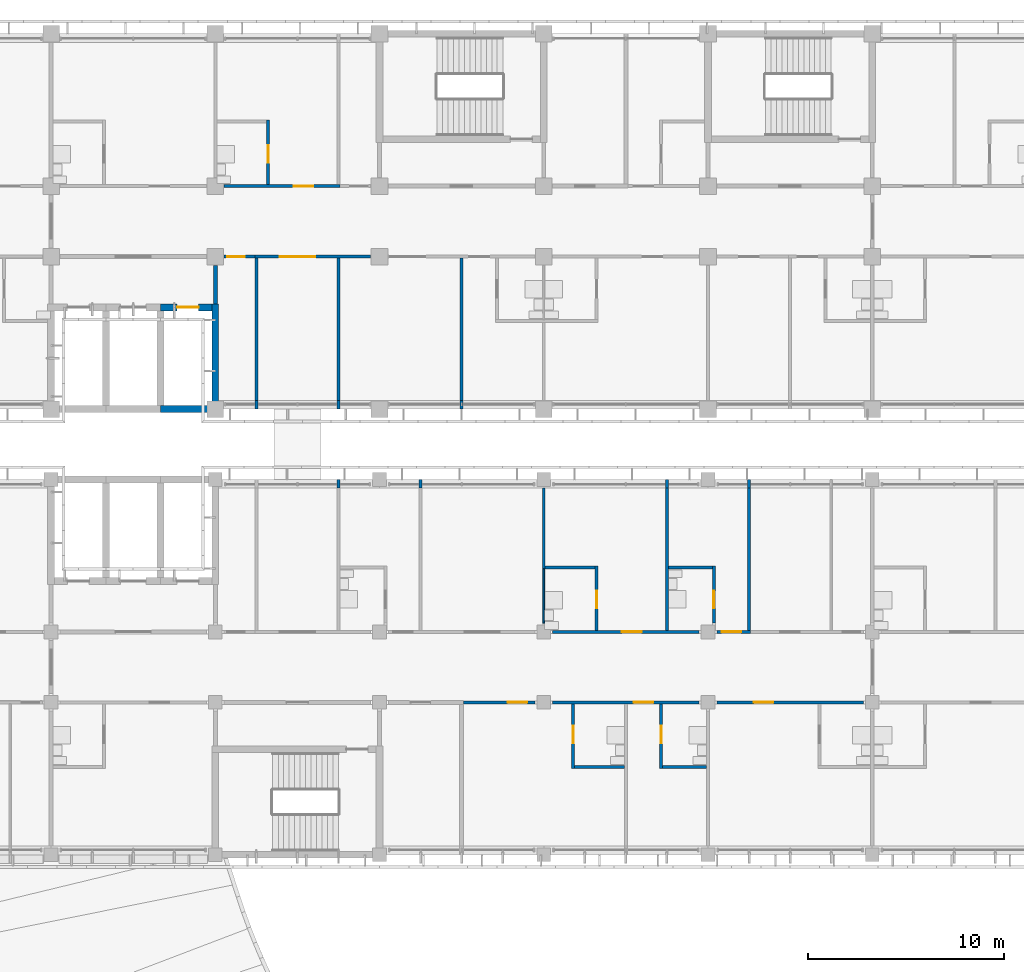
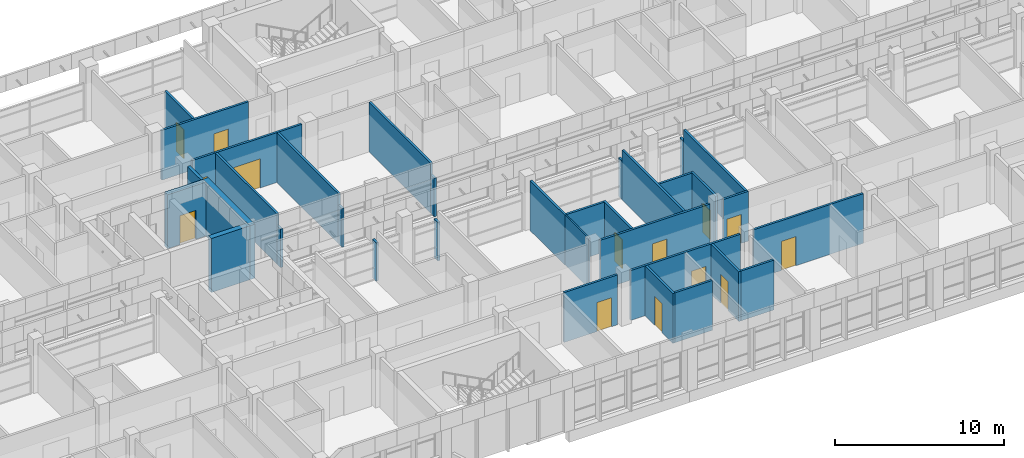
# One storey, part 33 of 74: 35 walls, 14 doors, 14 openings.
"""IFC4 building model written with IfcOpenShell, lengths in metres."""

from ifc_helpers import new_model, si_unit, direction, frame, frame_2d, origin, place, context, subcontext, project, spatial, rectangle, extrude, material, layer, layer_set, type_object, element, fill, save


model = new_model("IFC4")

# Units and contexts
model_context = context("Model", 3, precision=1e-05, world=origin(), true_north=direction((0.0, 1.0)))
body_context = subcontext(model_context, "Body", "Model", "MODEL_VIEW")
ifc_project = project(units=[si_unit("LENGTHUNIT", "METRE"), si_unit("AREAUNIT", "SQUARE_METRE"), si_unit("VOLUMEUNIT", "CUBIC_METRE"), si_unit("PLANEANGLEUNIT", "RADIAN"), si_unit("MASSUNIT", "GRAM", prefix="KILO")], contexts=[model_context])

# Site, building, storey
site_placement = place(None, origin())
site = spatial("IfcSite", under=ifc_project, at=site_placement, CompositionType="ELEMENT")
building_placement = place(site_placement, origin())
building = spatial("IfcBuilding", under=site, at=building_placement, Name="Bougainvillea Quay General Hospital", CompositionType="ELEMENT")
storey_placement = place(building_placement, frame((0.0, 0.0, 21.0)))
storey = spatial("IfcBuildingStorey", under=building, at=storey_placement, Name="L04", CompositionType="ELEMENT", Elevation=21.0)

# Walls
ifc_material_1 = material(Name="Gypsum board partition on steel studs", Category="steel")
ifc_layer_1 = layer(ifc_material_1, 0.10009765625)
ifc_layer_set_1 = layer_set([ifc_layer_1], Name="Gypsum board partition on steel studs")
wall_type_1 = type_object("IfcWallType", Name="Partition 100 Gypsum board partition", PredefinedType="PARTITIONING", material=ifc_layer_set_1)
wall_1_placement = place(storey_placement, frame((92.39990234375, 129.449951171875, 0.0), z_axis=(0.0, 0.0, 1.0), x_axis=(0.0, 1.0, 0.0)))
element("IfcWall", 1, at=wall_1_placement, inside=storey, type_object=wall_type_1, Name="Partition 100 mm", PredefinedType="PARTITIONING", context=body_context, shape_type="SweptSolid", body=[
    extrude(rectangle(XDim=2.775146484375, YDim=0.10009765625, at=frame_2d((1.3876953125, 0.0))), origin(), (0.0, 0.0, 1.0), 3.60009765625),
])
ifc_material_2 = material(Name="Gypsum board partition on steel studs, insulated", Category="steel")
ifc_layer_2 = layer(ifc_material_2, 0.14990234375)
ifc_layer_set_2 = layer_set([ifc_layer_2], Name="Gypsum board partition on steel studs, insulated")
wall_type_2 = type_object("IfcWallType", Name="Partition 150 Gypsum board partition", PredefinedType="PARTITIONING", material=ifc_layer_set_2)
wall_2_placement = place(storey_placement, frame((86.10009765625, 136.35009765625, 0.0), z_axis=(0.0, 0.0, 1.0), x_axis=(0.0, 1.0, 0.0)))
element("IfcWall", 2, at=wall_2_placement, inside=storey, type_object=wall_type_2, Name="Partition 150 mm", PredefinedType="PARTITIONING", context=body_context, shape_type="SweptSolid", body=[
    extrude(rectangle(XDim=0.449951171875, YDim=0.14990234375, at=frame_2d((0.22509765625, 0.0))), origin(), (0.0, 0.0, 1.0), 2.780029296875),
])
wall_3_placement = place(storey_placement, frame((98.699951171875, 129.074951171875, 0.0), z_axis=(0.0, 0.0, 1.0), x_axis=(0.0, 1.0, 0.0)))
element("IfcWall", 3, at=wall_3_placement, inside=storey, type_object=wall_type_2, Name="Partition 150 mm", PredefinedType="PARTITIONING", context=body_context, shape_type="SweptSolid", body=[
    extrude(rectangle(XDim=7.275146484375, YDim=0.14990234375, at=frame_2d((3.6376953125, 0.0))), origin(), (0.0, 0.0, 1.0), 3.60009765625),
])
wall_4_placement = place(storey_placement, frame((98.699951171875, 136.35009765625, 0.0), z_axis=(0.0, 0.0, 1.0), x_axis=(0.0, 1.0, 0.0)))
element("IfcWall", 4, at=wall_4_placement, inside=storey, type_object=wall_type_2, Name="Partition 150 mm", PredefinedType="PARTITIONING", context=body_context, shape_type="SweptSolid", body=[
    extrude(rectangle(XDim=0.449951171875, YDim=0.14990234375, at=frame_2d((0.22509765625, 0.0))), origin(), (0.0, 0.0, 1.0), 2.780029296875),
])
wall_5_placement = place(storey_placement, frame((102.89990234375, 129.074951171875, 0.0), z_axis=(0.0, 0.0, 1.0), x_axis=(0.0, 1.0, 0.0)))
element("IfcWall", 5, at=wall_5_placement, inside=storey, type_object=wall_type_2, Name="Partition 150 mm", PredefinedType="PARTITIONING", context=body_context, shape_type="SweptSolid", body=[
    extrude(rectangle(XDim=7.275146484375, YDim=0.14990234375, at=frame_2d((3.6376953125, 0.0))), origin(), (0.0, 0.0, 1.0), 3.60009765625),
])
wall_6_placement = place(storey_placement, frame((102.89990234375, 136.35009765625, 0.0), z_axis=(0.0, 0.0, 1.0), x_axis=(0.0, 1.0, 0.0)))
element("IfcWall", 6, at=wall_6_placement, inside=storey, type_object=wall_type_2, Name="Partition 150 mm", PredefinedType="PARTITIONING", context=body_context, shape_type="SweptSolid", body=[
    extrude(rectangle(XDim=0.449951171875, YDim=0.14990234375, at=frame_2d((0.22509765625, 0.0))), origin(), (0.0, 0.0, 1.0), 2.780029296875),
])
wall_7_placement = place(storey_placement, frame((88.199951171875, 140.39990234375, 0.0), z_axis=(0.0, 0.0, 1.0), x_axis=(0.0, 1.0, 0.0)))
element("IfcWall", 7, at=wall_7_placement, inside=storey, type_object=wall_type_2, Name="Partition 150 mm", PredefinedType="PARTITIONING", context=body_context, shape_type="SweptSolid", body=[
    extrude(rectangle(XDim=0.4501953125, YDim=0.14990234375, at=frame_2d((0.22509765625, 0.0))), origin(), (0.0, 0.0, 1.0), 2.780029296875),
])
wall_8_placement = place(storey_placement, frame((88.199951171875, 140.85009765625, 0.0), z_axis=(0.0, 0.0, 1.0), x_axis=(0.0, 1.0, 0.0)))
element("IfcWall", 8, at=wall_8_placement, inside=storey, type_object=wall_type_2, Name="Partition 150 mm", PredefinedType="PARTITIONING", context=body_context, shape_type="SweptSolid", body=[
    extrude(rectangle(XDim=7.27490234375, YDim=0.14990234375, at=frame_2d((3.637451171875, 0.0))), origin(), (0.0, 0.0, 1.0), 3.60009765625),
])
wall_9_placement = place(storey_placement, frame((92.39990234375, 132.22509765625, 0.0), z_axis=(0.0, 0.0, 1.0), x_axis=(0.0, 1.0, 0.0)))
element("IfcWall", 9, at=wall_9_placement, inside=storey, type_object=wall_type_2, Name="Partition 150 mm", PredefinedType="PARTITIONING", context=body_context, shape_type="SweptSolid", body=[
    extrude(rectangle(XDim=4.125, YDim=0.14990234375, at=frame_2d((2.0625, 0.0))), origin(), (0.0, 0.0, 1.0), 3.60009765625),
])

# Wall, opening, door
wall_10_placement = place(storey_placement, frame((93.89990234375, 122.02490234375, 0.0), z_axis=(0.0, 0.0, 1.0), x_axis=(0.0, 1.0, 0.0)))
wall_10 = element("IfcWall", 10, at=wall_10_placement, inside=storey, type_object=wall_type_2, Name="Partition 150 mm", PredefinedType="PARTITIONING", context=body_context, shape_type="SweptSolid", body=[
    extrude(rectangle(XDim=3.300048828125, YDim=0.14990234375, at=frame_2d((1.64990234375, 0.0))), origin(), (0.0, 0.0, 1.0), 3.60009765625),
])
opening_1_placement = place(wall_10_placement, frame((1.27490234375, 0.0, 0.0)))
opening_1 = element("IfcOpeningElement", 11, at=opening_1_placement, cuts=wall_10, Name="Opening L04.103", PredefinedType="OPENING", context=body_context, shape_type="SweptSolid", body=[
    extrude(rectangle(XDim=0.89990234375, YDim=2.10009765625, at=frame_2d((0.449951171875, 1.050048828125))), frame((0.0, 0.0849609375, 0.0), z_axis=(0.0, -1.0, 0.0), x_axis=(1.0, 0.0, 0.0)), (0.0, 0.0, 1.0), 0.169921875),
])
ifc_material_3 = material(Name="Solid-core timber door leaf in steel frame", Category="steel")
door_type_1 = type_object("IfcDoorType", Name="Single leaf door 900x2100", OperationType="NOTDEFINED", PredefinedType="DOOR", material=ifc_material_3)
door_1_placement = place(opening_1_placement, frame((0.89990234375, 0.0, 0.0), z_axis=(0.0, 0.0, 1.0), x_axis=(-1.0, 0.0, 0.0)))
door_1 = element("IfcDoor", 12, at=door_1_placement, inside=storey, type_object=door_type_1, Name="DT07 L04.103", OperationType="SINGLE_SWING_LEFT", OverallHeight=2.10009765625, OverallWidth=0.89990234375, PredefinedType="DOOR", context=body_context, shape_type="SweptSolid", body=[
    extrude(rectangle(XDim=0.89990234375, YDim=2.10009765625, at=frame_2d((0.449951171875, 1.050048828125))), frame((0.0, 0.02490234375, 0.0), z_axis=(0.0, -1.0, 0.0), x_axis=(1.0, 0.0, 0.0)), (0.0, 0.0, 1.0), 0.050048828125),
])
fill(opening_1, door_1)

wall_11_placement = place(storey_placement, frame((95.10009765625, 129.074951171875, 0.0), z_axis=(0.0, 0.0, 1.0), x_axis=(0.0, 1.0, 0.0)))
wall_11 = element("IfcWall", 13, at=wall_11_placement, inside=storey, type_object=wall_type_2, Name="Partition 150 mm", PredefinedType="PARTITIONING", context=body_context, shape_type="SweptSolid", body=[
    extrude(rectangle(XDim=3.300048828125, YDim=0.14990234375, at=frame_2d((1.64990234375, 0.0))), origin(), (0.0, 0.0, 1.0), 3.60009765625),
])
opening_2_placement = place(wall_11_placement, frame((1.125, 0.0, 0.0)))
opening_2 = element("IfcOpeningElement", 14, at=opening_2_placement, cuts=wall_11, Name="Opening L04.097", PredefinedType="OPENING", context=body_context, shape_type="SweptSolid", body=[
    extrude(rectangle(XDim=0.89990234375, YDim=2.10009765625, at=frame_2d((0.449951171875, 1.050048828125))), frame((0.0, 0.0849609375, 0.0), z_axis=(0.0, -1.0, 0.0), x_axis=(1.0, 0.0, 0.0)), (0.0, 0.0, 1.0), 0.169921875),
])
door_2_placement = place(opening_2_placement, origin())
door_2 = element("IfcDoor", 15, at=door_2_placement, inside=storey, type_object=door_type_1, Name="DT07 L04.097", OperationType="SINGLE_SWING_LEFT", OverallHeight=2.10009765625, OverallWidth=0.89990234375, PredefinedType="DOOR", context=body_context, shape_type="SweptSolid", body=[
    extrude(rectangle(XDim=0.89990234375, YDim=2.10009765625, at=frame_2d((0.449951171875, 1.050048828125))), frame((0.0, 0.02490234375, 0.0), z_axis=(0.0, -1.0, 0.0), x_axis=(1.0, 0.0, 0.0)), (0.0, 0.0, 1.0), 0.050048828125),
])
fill(opening_2, door_2)

wall_12_placement = place(storey_placement, frame((98.39990234375, 122.02490234375, 0.0), z_axis=(0.0, 0.0, 1.0), x_axis=(0.0, 1.0, 0.0)))
wall_12 = element("IfcWall", 16, at=wall_12_placement, inside=storey, type_object=wall_type_2, Name="Partition 150 mm", PredefinedType="PARTITIONING", context=body_context, shape_type="SweptSolid", body=[
    extrude(rectangle(XDim=3.300048828125, YDim=0.14990234375, at=frame_2d((1.64990234375, 0.0))), origin(), (0.0, 0.0, 1.0), 3.60009765625),
])
opening_3_placement = place(wall_12_placement, frame((1.27490234375, 0.0, 0.0)))
opening_3 = element("IfcOpeningElement", 17, at=opening_3_placement, cuts=wall_12, Name="Opening L04.105", PredefinedType="OPENING", context=body_context, shape_type="SweptSolid", body=[
    extrude(rectangle(XDim=0.89990234375, YDim=2.10009765625, at=frame_2d((0.449951171875, 1.050048828125))), frame((0.0, 0.0849609375, 0.0), z_axis=(0.0, -1.0, 0.0), x_axis=(1.0, 0.0, 0.0)), (0.0, 0.0, 1.0), 0.169921875),
])
door_3_placement = place(opening_3_placement, frame((0.89990234375, 0.0, 0.0), z_axis=(0.0, 0.0, 1.0), x_axis=(-1.0, 0.0, 0.0)))
door_3 = element("IfcDoor", 18, at=door_3_placement, inside=storey, type_object=door_type_1, Name="DT07 L04.105", OperationType="SINGLE_SWING_LEFT", OverallHeight=2.10009765625, OverallWidth=0.89990234375, PredefinedType="DOOR", context=body_context, shape_type="SweptSolid", body=[
    extrude(rectangle(XDim=0.89990234375, YDim=2.10009765625, at=frame_2d((0.449951171875, 1.050048828125))), frame((0.0, 0.02490234375, 0.0), z_axis=(0.0, -1.0, 0.0), x_axis=(1.0, 0.0, 0.0)), (0.0, 0.0, 1.0), 0.050048828125),
])
fill(opening_3, door_3)

wall_13_placement = place(storey_placement, frame((101.10009765625, 129.449951171875, 0.0), z_axis=(0.0, 0.0, 1.0), x_axis=(0.0, 1.0, 0.0)))
wall_13 = element("IfcWall", 19, at=wall_13_placement, inside=storey, type_object=wall_type_2, Name="Partition 150 mm", PredefinedType="PARTITIONING", context=body_context, shape_type="SweptSolid", body=[
    extrude(rectangle(XDim=2.925048828125, YDim=0.14990234375, at=frame_2d((1.46240234375, 0.0))), origin(), (0.0, 0.0, 1.0), 3.60009765625),
])
opening_4_placement = place(wall_13_placement, frame((0.75, 0.0, 0.0)))
opening_4 = element("IfcOpeningElement", 20, at=opening_4_placement, cuts=wall_13, Name="Opening L04.099", PredefinedType="OPENING", context=body_context, shape_type="SweptSolid", body=[
    extrude(rectangle(XDim=0.89990234375, YDim=2.10009765625, at=frame_2d((0.449951171875, 1.050048828125))), frame((0.0, 0.0849609375, 0.0), z_axis=(0.0, -1.0, 0.0), x_axis=(1.0, 0.0, 0.0)), (0.0, 0.0, 1.0), 0.169921875),
])
door_4_placement = place(opening_4_placement, origin())
door_4 = element("IfcDoor", 21, at=door_4_placement, inside=storey, type_object=door_type_1, Name="DT07 L04.099", OperationType="SINGLE_SWING_LEFT", OverallHeight=2.10009765625, OverallWidth=0.89990234375, PredefinedType="DOOR", context=body_context, shape_type="SweptSolid", body=[
    extrude(rectangle(XDim=0.89990234375, YDim=2.10009765625, at=frame_2d((0.449951171875, 1.050048828125))), frame((0.0, 0.02490234375, 0.0), z_axis=(0.0, -1.0, 0.0), x_axis=(1.0, 0.0, 0.0)), (0.0, 0.0, 1.0), 0.050048828125),
])
fill(opening_4, door_4)

wall_14_placement = place(storey_placement, frame((78.300048828125, 151.875, 0.0), z_axis=(0.0, 0.0, 1.0), x_axis=(0.0, 1.0, 0.0)))
wall_14 = element("IfcWall", 22, at=wall_14_placement, inside=storey, type_object=wall_type_2, Name="Partition 150 mm", PredefinedType="PARTITIONING", context=body_context, shape_type="SweptSolid", body=[
    extrude(rectangle(XDim=3.300048828125, YDim=0.14990234375, at=frame_2d((1.64990234375, 0.0))), origin(), (0.0, 0.0, 1.0), 3.60009765625),
])
opening_5_placement = place(wall_14_placement, frame((1.125, 0.0, 0.0)))
opening_5 = element("IfcOpeningElement", 23, at=opening_5_placement, cuts=wall_14, Name="Opening L04.017", PredefinedType="OPENING", context=body_context, shape_type="SweptSolid", body=[
    extrude(rectangle(XDim=0.89990234375, YDim=2.10009765625, at=frame_2d((0.449951171875, 1.050048828125))), frame((0.0, 0.0849609375, 0.0), z_axis=(0.0, -1.0, 0.0), x_axis=(1.0, 0.0, 0.0)), (0.0, 0.0, 1.0), 0.169921875),
])
door_5_placement = place(opening_5_placement, origin())
door_5 = element("IfcDoor", 24, at=door_5_placement, inside=storey, type_object=door_type_1, Name="DT07 L04.017", OperationType="SINGLE_SWING_LEFT", OverallHeight=2.10009765625, OverallWidth=0.89990234375, PredefinedType="DOOR", context=body_context, shape_type="SweptSolid", body=[
    extrude(rectangle(XDim=0.89990234375, YDim=2.10009765625, at=frame_2d((0.449951171875, 1.050048828125))), frame((0.0, 0.02490234375, 0.0), z_axis=(0.0, -1.0, 0.0), x_axis=(1.0, 0.0, 0.0)), (0.0, 0.0, 1.0), 0.050048828125),
])
fill(opening_5, door_5)

# Walls
for number, where, z_axis, x_axis, name in (
    (25, (92.47509765625, 132.300048828125, 0.0), (0.0, 0.0, 1.0), (1.0, 0.0, 0.0), "Partition 150 mm"),
    (26, (93.97509765625, 122.10009765625, 0.0), (0.0, 0.0, 1.0), (1.0, 0.0, 0.0), "Partition 150 mm"),
):
    element("IfcWall", number, at=place(storey_placement, frame(where, z_axis=z_axis, x_axis=x_axis)), inside=storey, type_object=wall_type_2, Name=name, PredefinedType="PARTITIONING", context=body_context, shape_type="SweptSolid", body=[
        extrude(rectangle(XDim=2.5498046875, YDim=0.14990234375, at=frame_2d((1.27490234375, 0.0))), origin(), (0.0, 0.0, 1.0), 3.60009765625),
    ])
for number, where, z_axis, x_axis, name in (
    (27, (98.47509765625, 122.10009765625, 0.0), (0.0, 0.0, 1.0), (1.0, 0.0, 0.0), "Partition 150 mm"),
    (28, (98.77490234375, 132.300048828125, 0.0), (0.0, 0.0, 1.0), (1.0, 0.0, 0.0), "Partition 150 mm"),
):
    element("IfcWall", number, at=place(storey_placement, frame(where, z_axis=z_axis, x_axis=x_axis)), inside=storey, type_object=wall_type_2, Name=name, PredefinedType="PARTITIONING", context=body_context, shape_type="SweptSolid", body=[
        extrude(rectangle(XDim=2.25, YDim=0.14990234375, at=frame_2d((1.125, 0.0))), origin(), (0.0, 0.0, 1.0), 3.60009765625),
    ])

# Wall, opening, door
ifc_layer_3 = layer(ifc_material_2, 0.14990234375)
ifc_layer_set_3 = layer_set([ifc_layer_3], Name="Gypsum board partition on steel studs, insulated")
wall_type_3 = type_object("IfcWallType", Name="Partition 150 Gypsum board partition EI 30", PredefinedType="PARTITIONING", material=ifc_layer_set_3)
wall_15_placement = place(storey_placement, frame((108.75, 125.39990234375, 0.0), z_axis=(0.0, 0.0, 1.0), x_axis=(-1.0, 0.0, 0.0)))
wall_15 = element("IfcWall", 29, at=wall_15_placement, inside=storey, type_object=wall_type_3, Name="Partition 150 mm EI 30", PredefinedType="PARTITIONING", context=body_context, shape_type="SweptSolid", body=[
    extrude(rectangle(XDim=7.5, YDim=0.14990234375, at=frame_2d((3.75, 0.0))), origin(), (0.0, 0.0, 1.0), 3.60009765625),
])
opening_6_placement = place(wall_15_placement, frame((4.60009765625, 0.0, 0.0)))
opening_6 = element("IfcOpeningElement", 30, at=opening_6_placement, cuts=wall_15, Name="Opening L04.106", PredefinedType="OPENING", context=body_context, shape_type="SweptSolid", body=[
    extrude(rectangle(XDim=1.0, YDim=2.10009765625, at=frame_2d((0.5, 1.050048828125))), frame((0.0, 0.0849609375, 0.0), z_axis=(0.0, -1.0, 0.0), x_axis=(1.0, 0.0, 0.0)), (0.0, 0.0, 1.0), 0.169921875),
])
door_type_2 = type_object("IfcDoorType", Name="Single leaf door 1000x2100 FD30S", OperationType="NOTDEFINED", PredefinedType="DOOR", material=ifc_material_3)
door_6_placement = place(opening_6_placement, origin())
door_6 = element("IfcDoor", 31, at=door_6_placement, inside=storey, type_object=door_type_2, Name="DT15 L04.106", OperationType="SINGLE_SWING_RIGHT", OverallHeight=2.10009765625, OverallWidth=1.0, PredefinedType="DOOR", context=body_context, shape_type="SweptSolid", body=[
    extrude(rectangle(XDim=1.0, YDim=2.10009765625, at=frame_2d((0.5, 1.050048828125))), frame((0.0, 0.02490234375, 0.0), z_axis=(0.0, -1.0, 0.0), x_axis=(1.0, 0.0, 0.0)), (0.0, 0.0, 1.0), 0.050048828125),
])
fill(opening_6, door_6)

wall_16_placement = place(storey_placement, frame((100.35009765625, 125.39990234375, 0.0), z_axis=(0.0, 0.0, 1.0), x_axis=(-1.0, 0.0, 0.0)))
wall_16 = element("IfcWall", 32, at=wall_16_placement, inside=storey, type_object=wall_type_3, Name="Partition 150 mm EI 30", PredefinedType="PARTITIONING", context=body_context, shape_type="SweptSolid", body=[
    extrude(rectangle(XDim=7.5, YDim=0.14990234375, at=frame_2d((3.75, 0.0))), origin(), (0.0, 0.0, 1.0), 3.60009765625),
])
opening_7_placement = place(wall_16_placement, frame((2.35009765625, 0.0, 0.0)))
opening_7 = element("IfcOpeningElement", 33, at=opening_7_placement, cuts=wall_16, Name="Opening L04.104", PredefinedType="OPENING", context=body_context, shape_type="SweptSolid", body=[
    extrude(rectangle(XDim=1.0, YDim=2.10009765625, at=frame_2d((0.5, 1.050048828125))), frame((0.0, 0.0849609375, 0.0), z_axis=(0.0, -1.0, 0.0), x_axis=(1.0, 0.0, 0.0)), (0.0, 0.0, 1.0), 0.169921875),
])
door_7_placement = place(opening_7_placement, origin())
door_7 = element("IfcDoor", 34, at=door_7_placement, inside=storey, type_object=door_type_2, Name="DT15 L04.104", OperationType="SINGLE_SWING_LEFT", OverallHeight=2.10009765625, OverallWidth=1.0, PredefinedType="DOOR", context=body_context, shape_type="SweptSolid", body=[
    extrude(rectangle(XDim=1.0, YDim=2.10009765625, at=frame_2d((0.5, 1.050048828125))), frame((0.0, 0.02490234375, 0.0), z_axis=(0.0, -1.0, 0.0), x_axis=(1.0, 0.0, 0.0)), (0.0, 0.0, 1.0), 0.050048828125),
])
fill(opening_7, door_7)

wall_17_placement = place(storey_placement, frame((91.949951171875, 125.39990234375, 0.0), z_axis=(0.0, 0.0, 1.0), x_axis=(-1.0, 0.0, 0.0)))
wall_17 = element("IfcWall", 35, at=wall_17_placement, inside=storey, type_object=wall_type_3, Name="Partition 150 mm EI 30", PredefinedType="PARTITIONING", context=body_context, shape_type="SweptSolid", body=[
    extrude(rectangle(XDim=3.64990234375, YDim=0.14990234375, at=frame_2d((1.824951171875, 0.0))), origin(), (0.0, 0.0, 1.0), 3.60009765625),
])
opening_8_placement = place(wall_17_placement, frame((0.39990234375, 0.0, 0.0)))
opening_8 = element("IfcOpeningElement", 36, at=opening_8_placement, cuts=wall_17, Name="Opening L04.102", PredefinedType="OPENING", context=body_context, shape_type="SweptSolid", body=[
    extrude(rectangle(XDim=1.0, YDim=2.10009765625, at=frame_2d((0.5, 1.050048828125))), frame((0.0, 0.0849609375, 0.0), z_axis=(0.0, -1.0, 0.0), x_axis=(1.0, 0.0, 0.0)), (0.0, 0.0, 1.0), 0.169921875),
])
door_8_placement = place(opening_8_placement, origin())
door_8 = element("IfcDoor", 37, at=door_8_placement, inside=storey, type_object=door_type_2, Name="DT15 L04.102", OperationType="SINGLE_SWING_LEFT", OverallHeight=2.10009765625, OverallWidth=1.0, PredefinedType="DOOR", context=body_context, shape_type="SweptSolid", body=[
    extrude(rectangle(XDim=1.0, YDim=2.10009765625, at=frame_2d((0.5, 1.050048828125))), frame((0.0, 0.02490234375, 0.0), z_axis=(0.0, -1.0, 0.0), x_axis=(1.0, 0.0, 0.0)), (0.0, 0.0, 1.0), 0.050048828125),
])
fill(opening_8, door_8)

wall_18_placement = place(storey_placement, frame((102.97509765625, 129.0, 0.0), z_axis=(0.0, 0.0, 1.0), x_axis=(-1.0, 0.0, 0.0)))
wall_18 = element("IfcWall", 38, at=wall_18_placement, inside=storey, type_object=wall_type_3, Name="Partition 150 mm EI 30", PredefinedType="PARTITIONING", context=body_context, shape_type="SweptSolid", body=[
    extrude(rectangle(XDim=1.72509765625, YDim=0.14990234375, at=frame_2d((0.862548828125, 0.0))), origin(), (0.0, 0.0, 1.0), 3.60009765625),
])
opening_9_placement = place(wall_18_placement, frame((0.47509765625, 0.0, 0.0)))
opening_9 = element("IfcOpeningElement", 39, at=opening_9_placement, cuts=wall_18, Name="Opening L04.098", PredefinedType="OPENING", context=body_context, shape_type="SweptSolid", body=[
    extrude(rectangle(XDim=1.0, YDim=2.10009765625, at=frame_2d((0.5, 1.050048828125))), frame((0.0, 0.0849609375, 0.0), z_axis=(0.0, -1.0, 0.0), x_axis=(1.0, 0.0, 0.0)), (0.0, 0.0, 1.0), 0.169921875),
])
door_9_placement = place(opening_9_placement, frame((1.0, 0.0, 0.0), z_axis=(0.0, 0.0, 1.0), x_axis=(-1.0, 0.0, 0.0)))
door_9 = element("IfcDoor", 40, at=door_9_placement, inside=storey, type_object=door_type_2, Name="DT15 L04.098", OperationType="SINGLE_SWING_LEFT", OverallHeight=2.10009765625, OverallWidth=1.0, PredefinedType="DOOR", context=body_context, shape_type="SweptSolid", body=[
    extrude(rectangle(XDim=1.0, YDim=2.10009765625, at=frame_2d((0.5, 1.050048828125))), frame((0.0, 0.02490234375, 0.0), z_axis=(0.0, -1.0, 0.0), x_axis=(1.0, 0.0, 0.0)), (0.0, 0.0, 1.0), 0.050048828125),
])
fill(opening_9, door_9)

wall_19_placement = place(storey_placement, frame((100.35009765625, 129.0, 0.0), z_axis=(0.0, 0.0, 1.0), x_axis=(-1.0, 0.0, 0.0)))
wall_19 = element("IfcWall", 41, at=wall_19_placement, inside=storey, type_object=wall_type_3, Name="Partition 150 mm EI 30", PredefinedType="PARTITIONING", context=body_context, shape_type="SweptSolid", body=[
    extrude(rectangle(XDim=7.5, YDim=0.14990234375, at=frame_2d((3.75, 0.0))), origin(), (0.0, 0.0, 1.0), 3.60009765625),
])
opening_10_placement = place(wall_19_placement, frame((2.949951171875, 0.0, 0.0)))
opening_10 = element("IfcOpeningElement", 42, at=opening_10_placement, cuts=wall_19, Name="Opening L04.096", PredefinedType="OPENING", context=body_context, shape_type="SweptSolid", body=[
    extrude(rectangle(XDim=1.0, YDim=2.10009765625, at=frame_2d((0.5, 1.050048828125))), frame((0.0, 0.0849609375, 0.0), z_axis=(0.0, -1.0, 0.0), x_axis=(1.0, 0.0, 0.0)), (0.0, 0.0, 1.0), 0.169921875),
])
door_10_placement = place(opening_10_placement, frame((1.0, 0.0, 0.0), z_axis=(0.0, 0.0, 1.0), x_axis=(-1.0, 0.0, 0.0)))
door_10 = element("IfcDoor", 43, at=door_10_placement, inside=storey, type_object=door_type_2, Name="DT15 L04.096", OperationType="SINGLE_SWING_RIGHT", OverallHeight=2.10009765625, OverallWidth=1.0, PredefinedType="DOOR", context=body_context, shape_type="SweptSolid", body=[
    extrude(rectangle(XDim=1.0, YDim=2.10009765625, at=frame_2d((0.5, 1.050048828125))), frame((0.0, 0.02490234375, 0.0), z_axis=(0.0, -1.0, 0.0), x_axis=(1.0, 0.0, 0.0)), (0.0, 0.0, 1.0), 0.050048828125),
])
fill(opening_10, door_10)

wall_20_placement = place(storey_placement, frame((83.550048828125, 148.199951171875, 0.0), z_axis=(0.0, 0.0, 1.0), x_axis=(-1.0, 0.0, 0.0)))
wall_20 = element("IfcWall", 44, at=wall_20_placement, inside=storey, type_object=wall_type_3, Name="Partition 150 mm EI 30", PredefinedType="PARTITIONING", context=body_context, shape_type="SweptSolid", body=[
    extrude(rectangle(XDim=5.925048828125, YDim=0.14990234375, at=frame_2d((2.96240234375, 0.0))), origin(), (0.0, 0.0, 1.0), 3.60009765625),
])
opening_11_placement = place(wall_20_placement, frame((2.85009765625, 0.0, 0.0)))
opening_11 = element("IfcOpeningElement", 45, at=opening_11_placement, cuts=wall_20, Name="Opening L04.068", PredefinedType="OPENING", context=body_context, shape_type="SweptSolid", body=[
    extrude(rectangle(XDim=1.800048828125, YDim=2.10009765625, at=frame_2d((0.89990234375, 1.050048828125))), frame((0.0, 0.0849609375, 0.0), z_axis=(0.0, -1.0, 0.0), x_axis=(1.0, 0.0, 0.0)), (0.0, 0.0, 1.0), 0.169921875),
])
ifc_material_4 = material(Name="Solid-core timber door leaves in steel frame", Category="steel")
door_type_3 = type_object("IfcDoorType", Name="Double leaf door 1800x2100 FD30S", OperationType="DOUBLE_DOOR_SINGLE_SWING", PredefinedType="DOOR", material=ifc_material_4)
door_11_placement = place(opening_11_placement, origin())
door_11 = element("IfcDoor", 46, at=door_11_placement, inside=storey, type_object=door_type_3, Name="DT17 L04.068", OperationType="DOUBLE_DOOR_SINGLE_SWING", OverallHeight=2.10009765625, OverallWidth=1.800048828125, PredefinedType="DOOR", context=body_context, shape_type="SweptSolid", body=[
    extrude(rectangle(XDim=1.800048828125, YDim=2.10009765625, at=frame_2d((0.89990234375, 1.050048828125))), frame((0.0, 0.02490234375, 0.0), z_axis=(0.0, -1.0, 0.0), x_axis=(1.0, 0.0, 0.0)), (0.0, 0.0, 1.0), 0.050048828125),
])
fill(opening_11, door_11)

wall_21_placement = place(storey_placement, frame((81.97509765625, 151.800048828125, 0.0), z_axis=(0.0, 0.0, 1.0), x_axis=(-1.0, 0.0, 0.0)))
wall_21 = element("IfcWall", 47, at=wall_21_placement, inside=storey, type_object=wall_type_3, Name="Partition 150 mm EI 30", PredefinedType="PARTITIONING", context=body_context, shape_type="SweptSolid", body=[
    extrude(rectangle(XDim=5.925048828125, YDim=0.14990234375, at=frame_2d((2.96240234375, 0.0))), origin(), (0.0, 0.0, 1.0), 3.60009765625),
])
opening_12_placement = place(wall_21_placement, frame((1.375, 0.0, 0.0)))
opening_12 = element("IfcOpeningElement", 48, at=opening_12_placement, cuts=wall_21, Name="Opening L04.016", PredefinedType="OPENING", context=body_context, shape_type="SweptSolid", body=[
    extrude(rectangle(XDim=1.0, YDim=2.10009765625, at=frame_2d((0.5, 1.050048828125))), frame((0.0, 0.0849609375, 0.0), z_axis=(0.0, -1.0, 0.0), x_axis=(1.0, 0.0, 0.0)), (0.0, 0.0, 1.0), 0.169921875),
])
door_12_placement = place(opening_12_placement, frame((1.0, 0.0, 0.0), z_axis=(0.0, 0.0, 1.0), x_axis=(-1.0, 0.0, 0.0)))
door_12 = element("IfcDoor", 49, at=door_12_placement, inside=storey, type_object=door_type_2, Name="DT15 L04.016", OperationType="SINGLE_SWING_RIGHT", OverallHeight=2.10009765625, OverallWidth=1.0, PredefinedType="DOOR", context=body_context, shape_type="SweptSolid", body=[
    extrude(rectangle(XDim=1.0, YDim=2.10009765625, at=frame_2d((0.5, 1.050048828125))), frame((0.0, 0.02490234375, 0.0), z_axis=(0.0, -1.0, 0.0), x_axis=(1.0, 0.0, 0.0)), (0.0, 0.0, 1.0), 0.050048828125),
])
fill(opening_12, door_12)

# Walls
wall_22_placement = place(storey_placement, frame((81.89990234375, 136.35009765625, 0.0), z_axis=(0.0, 0.0, 1.0), x_axis=(0.0, 1.0, 0.0)))
element("IfcWall", 50, at=wall_22_placement, inside=storey, type_object=wall_type_3, Name="Partition 150 mm EI 30", PredefinedType="PARTITIONING", context=body_context, shape_type="SweptSolid", body=[
    extrude(rectangle(XDim=0.449951171875, YDim=0.14990234375, at=frame_2d((0.22509765625, 0.0))), origin(), (0.0, 0.0, 1.0), 2.780029296875),
])
wall_23_placement = place(storey_placement, frame((77.699951171875, 140.39990234375, 0.0), z_axis=(0.0, 0.0, 1.0), x_axis=(0.0, 1.0, 0.0)))
element("IfcWall", 51, at=wall_23_placement, inside=storey, type_object=wall_type_3, Name="Partition 150 mm EI 30", PredefinedType="PARTITIONING", context=body_context, shape_type="SweptSolid", body=[
    extrude(rectangle(XDim=0.4501953125, YDim=0.14990234375, at=frame_2d((0.22509765625, 0.0))), origin(), (0.0, 0.0, 1.0), 2.780029296875),
])
wall_24_placement = place(storey_placement, frame((77.699951171875, 140.85009765625, 0.0), z_axis=(0.0, 0.0, 1.0), x_axis=(0.0, 1.0, 0.0)))
element("IfcWall", 52, at=wall_24_placement, inside=storey, type_object=wall_type_3, Name="Partition 150 mm EI 30", PredefinedType="PARTITIONING", context=body_context, shape_type="SweptSolid", body=[
    extrude(rectangle(XDim=7.27490234375, YDim=0.14990234375, at=frame_2d((3.637451171875, 0.0))), origin(), (0.0, 0.0, 1.0), 3.60009765625),
])
wall_25_placement = place(storey_placement, frame((81.89990234375, 140.39990234375, 0.0), z_axis=(0.0, 0.0, 1.0), x_axis=(0.0, 1.0, 0.0)))
element("IfcWall", 53, at=wall_25_placement, inside=storey, type_object=wall_type_3, Name="Partition 150 mm EI 30", PredefinedType="PARTITIONING", context=body_context, shape_type="SweptSolid", body=[
    extrude(rectangle(XDim=0.4501953125, YDim=0.14990234375, at=frame_2d((0.22509765625, 0.0))), origin(), (0.0, 0.0, 1.0), 2.780029296875),
])
wall_26_placement = place(storey_placement, frame((81.89990234375, 140.85009765625, 0.0), z_axis=(0.0, 0.0, 1.0), x_axis=(0.0, 1.0, 0.0)))
element("IfcWall", 54, at=wall_26_placement, inside=storey, type_object=wall_type_3, Name="Partition 150 mm EI 30", PredefinedType="PARTITIONING", context=body_context, shape_type="SweptSolid", body=[
    extrude(rectangle(XDim=7.27490234375, YDim=0.14990234375, at=frame_2d((3.637451171875, 0.0))), origin(), (0.0, 0.0, 1.0), 3.60009765625),
])

# Wall, opening, door
ifc_layer_4 = layer(ifc_material_2, 0.14990234375)
ifc_layer_set_4 = layer_set([ifc_layer_4], Name="Gypsum board partition on steel studs, insulated")
wall_type_4 = type_object("IfcWallType", Name="Partition 150 Gypsum board partition EI 60", PredefinedType="PARTITIONING", material=ifc_layer_set_4)
wall_27_placement = place(storey_placement, frame((76.050048828125, 148.199951171875, 0.0), z_axis=(0.0, 0.0, 1.0), x_axis=(1.0, 0.0, 0.0)))
wall_27 = element("IfcWall", 55, at=wall_27_placement, inside=storey, type_object=wall_type_4, Name="Partition 150 mm EI 60", PredefinedType="PARTITIONING", context=body_context, shape_type="SweptSolid", body=[
    extrude(rectangle(XDim=1.574951171875, YDim=0.14990234375, at=frame_2d((0.78759765625, 0.0))), origin(), (0.0, 0.0, 1.0), 3.60009765625),
])
opening_13_placement = place(wall_27_placement, frame((0.14990234375, 0.0, 0.0)))
opening_13 = element("IfcOpeningElement", 56, at=opening_13_placement, cuts=wall_27, Name="Opening L04.019", PredefinedType="OPENING", context=body_context, shape_type="SweptSolid", body=[
    extrude(rectangle(XDim=0.89990234375, YDim=2.10009765625, at=frame_2d((0.449951171875, 1.050048828125))), frame((0.0, 0.0849609375, 0.0), z_axis=(0.0, -1.0, 0.0), x_axis=(1.0, 0.0, 0.0)), (0.0, 0.0, 1.0), 0.169921875),
])
door_type_4 = type_object("IfcDoorType", Name="Single leaf door 900x2100 FD60", OperationType="NOTDEFINED", PredefinedType="DOOR", material=ifc_material_3)
door_13_placement = place(opening_13_placement, frame((0.89990234375, 0.0, 0.0), z_axis=(0.0, 0.0, 1.0), x_axis=(-1.0, 0.0, 0.0)))
door_13 = element("IfcDoor", 57, at=door_13_placement, inside=storey, type_object=door_type_4, Name="DT18 L04.019", OperationType="SINGLE_SWING_RIGHT", OverallHeight=2.10009765625, OverallWidth=0.89990234375, PredefinedType="DOOR", context=body_context, shape_type="SweptSolid", body=[
    extrude(rectangle(XDim=0.89990234375, YDim=2.10009765625, at=frame_2d((0.449951171875, 1.050048828125))), frame((0.0, 0.02490234375, 0.0), z_axis=(0.0, -1.0, 0.0), x_axis=(1.0, 0.0, 0.0)), (0.0, 0.0, 1.0), 0.050048828125),
])
fill(opening_13, door_13)

# Walls
ifc_material_5 = material(Name="Fire-rated autoclaved aerated block wall, plastered")
ifc_layer_5 = layer(ifc_material_5, 0.199951171875)
ifc_layer_set_5 = layer_set([ifc_layer_5], Name="Fire-rated autoclaved aerated block wall, plastered")
wall_type_5 = type_object("IfcWallType", Name="Partition 200 Fire-rated autoclaved aerated block wall EI 120", PredefinedType="SOLIDWALL", material=ifc_layer_set_5)
wall_28_placement = place(storey_placement, frame((75.60009765625, 145.77490234375, 0.0), z_axis=(0.0, 0.0, 1.0), x_axis=(0.0, 1.0, 0.0)))
element("IfcWall", 58, at=wall_28_placement, inside=storey, type_object=wall_type_5, Name="Partition 200 mm EI 120", PredefinedType="SOLIDWALL", context=body_context, shape_type="SweptSolid", body=[
    extrude(rectangle(XDim=1.97509765625, YDim=0.199951171875, at=frame_2d((0.987548828125, 0.0))), origin(), (0.0, 0.0, 1.0), 3.60009765625),
])
ifc_material_6 = material(Name="Concrete C40", Category="concrete")
ifc_layer_6 = layer(ifc_material_6, 0.35009765625)
ifc_layer_set_6 = layer_set([ifc_layer_6], Name="Concrete C40")
wall_type_6 = type_object("IfcWallType", Name="RC SHEAR WALL 350 C40", PredefinedType="SHEAR", material=ifc_layer_set_6)
wall_29_placement = place(storey_placement, frame((72.800048828125, 140.39990234375, 0.0), z_axis=(0.0, 0.0, 1.0), x_axis=(1.0, 0.0, 0.0)))
element("IfcWall", 59, at=wall_29_placement, inside=storey, type_object=wall_type_6, Name="Shear wall L04", PredefinedType="SHEAR", context=body_context, shape_type="SweptSolid", body=[
    extrude(rectangle(XDim=2.625, YDim=0.35009765625, at=frame_2d((1.3125, 0.0))), origin(), (0.0, 0.0, 1.0), 3.89990234375),
])

# Wall, opening, door
wall_30_placement = place(storey_placement, frame((72.800048828125, 145.60009765625, 0.0), z_axis=(0.0, 0.0, 1.0), x_axis=(1.0, 0.0, 0.0)))
wall_30 = element("IfcWall", 60, at=wall_30_placement, inside=storey, type_object=wall_type_6, Name="Shear wall L04", PredefinedType="SHEAR", context=body_context, shape_type="SweptSolid", body=[
    extrude(rectangle(XDim=2.625, YDim=0.35009765625, at=frame_2d((1.3125, 0.0))), origin(), (0.0, 0.0, 1.0), 3.89990234375),
])
opening_14_placement = place(wall_30_placement, frame((0.85009765625, 0.0, 0.0)))
opening_14 = element("IfcOpeningElement", 61, at=opening_14_placement, cuts=wall_30, Name="Opening LD-A1.3-L04", PredefinedType="OPENING", context=body_context, shape_type="SweptSolid", body=[
    extrude(rectangle(XDim=1.10009765625, YDim=2.10009765625, at=frame_2d((0.550048828125, 1.050048828125))), frame((0.0, 0.18505859375, 0.0), z_axis=(0.0, -1.0, 0.0), x_axis=(1.0, 0.0, 0.0)), (0.0, 0.0, 1.0), 0.3701171875),
])
ifc_material_7 = material(Name="Stainless steel centre-opening landing door", Category="steel")
door_type_5 = type_object("IfcDoorType", Name="Lift landing door 1100x2100 E 120", OperationType="DOUBLE_DOOR_SLIDING", PredefinedType="DOOR", material=ifc_material_7)
door_14_placement = place(opening_14_placement, origin())
door_14 = element("IfcDoor", 62, at=door_14_placement, inside=storey, type_object=door_type_5, Name="Lift landing door LB-A1-3 L04", OperationType="DOUBLE_DOOR_SLIDING", OverallHeight=2.10009765625, OverallWidth=1.10009765625, PredefinedType="DOOR", context=body_context, shape_type="SweptSolid", body=[
    extrude(rectangle(XDim=1.10009765625, YDim=2.10009765625, at=frame_2d((0.550048828125, 1.050048828125))), frame((0.0, 0.02490234375, 0.0), z_axis=(0.0, -1.0, 0.0), x_axis=(1.0, 0.0, 0.0)), (0.0, 0.0, 1.0), 0.050048828125),
])
fill(opening_14, door_14)

# Wall
wall_31_placement = place(storey_placement, frame((75.60009765625, 140.22509765625, 0.0), z_axis=(0.0, 0.0, 1.0), x_axis=(0.0, 1.0, 0.0)))
element("IfcWall", 63, at=wall_31_placement, inside=storey, type_object=wall_type_6, Name="Shear wall L04", PredefinedType="SHEAR", context=body_context, shape_type="SweptSolid", body=[
    extrude(rectangle(XDim=5.5498046875, YDim=0.35009765625, at=frame_2d((2.77490234375, 0.0))), origin(), (0.0, 0.0, 1.0), 3.89990234375),
])

save(model, "model.ifc")
